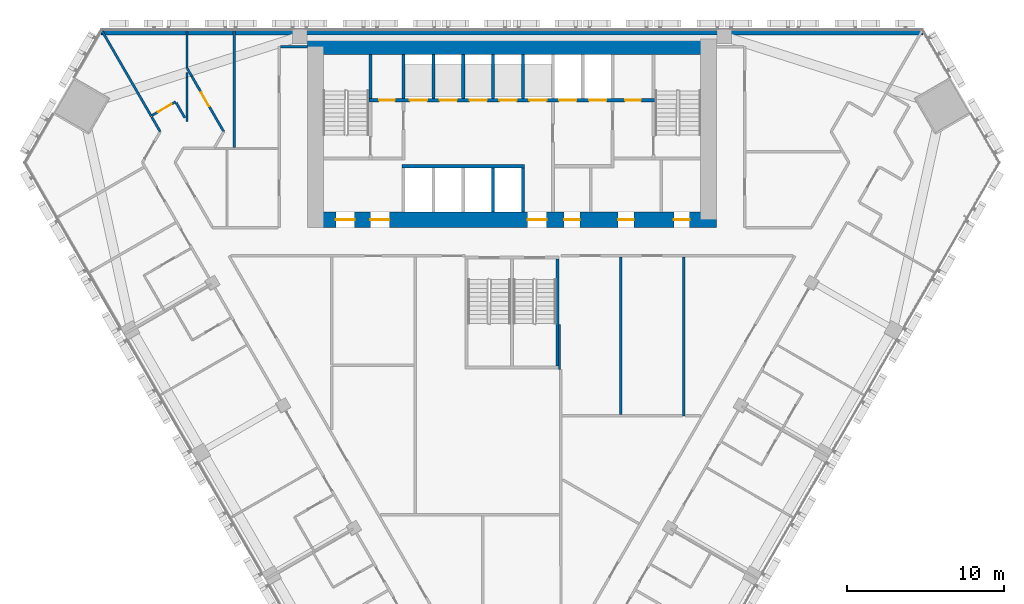
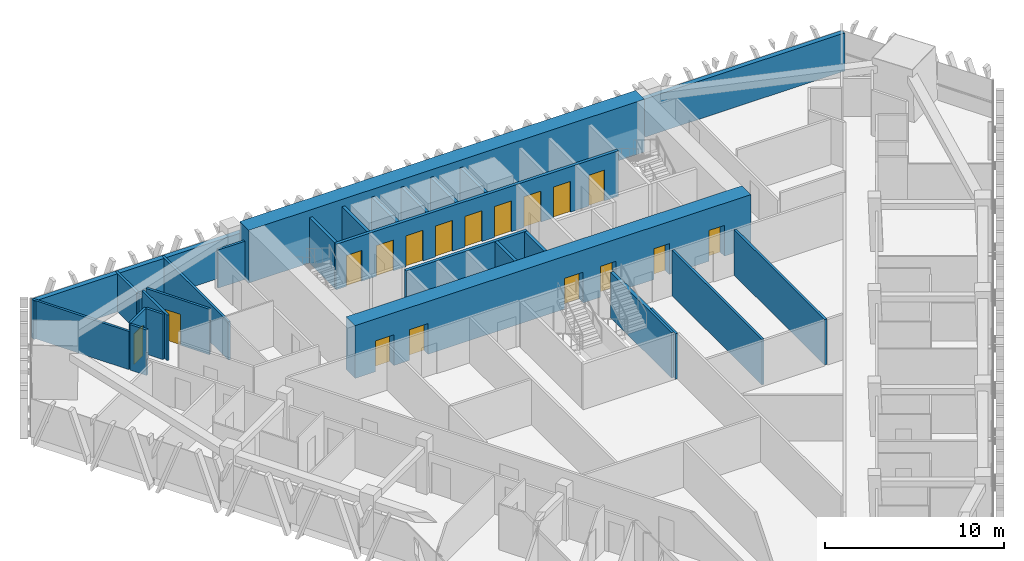
# One storey, part 13 of 18: 28 walls, 17 doors, 17 openings.
"""IFC4 building model written with IfcOpenShell, lengths in metres."""

from ifc_helpers import new_model, si_unit, direction, frame, frame_2d, origin, place, context, subcontext, project, spatial, rectangle, extrude, material, layer, layer_set, type_object, element, fill, save


model = new_model("IFC4")

# Units and contexts
model_context = context("Model", 3, precision=1e-05, world=origin(), true_north=direction((0.0, 1.0)))
body_context = subcontext(model_context, "Body", "Model", "MODEL_VIEW")
ifc_project = project(units=[si_unit("LENGTHUNIT", "METRE"), si_unit("AREAUNIT", "SQUARE_METRE"), si_unit("VOLUMEUNIT", "CUBIC_METRE"), si_unit("PLANEANGLEUNIT", "RADIAN"), si_unit("MASSUNIT", "GRAM", prefix="KILO")], contexts=[model_context])

# Site, building, storey
site_placement = place(None, origin())
site = spatial("IfcSite", under=ifc_project, at=site_placement, CompositionType="ELEMENT")
building_placement = place(site_placement, origin())
building = spatial("IfcBuilding", under=site, at=building_placement, Name="Altiplano Prism Tower", CompositionType="ELEMENT")
storey_placement = place(building_placement, frame((0.0, 0.0, 37.800048828125)))
storey = spatial("IfcBuildingStorey", under=building, at=storey_placement, Name="L08", CompositionType="ELEMENT", Elevation=37.800048828125)

# Wall, openings, doors
ifc_material_1 = material(Name="Concrete C70/85", Category="concrete")
ifc_layer_1 = layer(ifc_material_1, 1.0)
ifc_layer_set_1 = layer_set([ifc_layer_1], Name="Concrete C70/85")
wall_type_1 = type_object("IfcWallType", Name="Core wall 1000", PredefinedType="SHEAR", material=ifc_layer_set_1)
wall_1_placement = place(storey_placement, frame((72.5, 92.89990234375, 0.0), z_axis=(0.0, 0.0, 1.0), x_axis=(1.0, 0.0, 0.0)))
wall_1 = element("IfcWall", 1, at=wall_1_placement, inside=storey, type_object=wall_type_1, Name="Core wall S L08", PredefinedType="SHEAR", context=body_context, shape_type="SweptSolid", body=[
    extrude(rectangle(XDim=25.5, YDim=1.0, at=frame_2d((12.75, 0.0))), origin(), (0.0, 0.0, 1.0), 3.599853515625),
])
opening_1_placement = place(wall_1_placement, frame((1.300048828125, 0.0, 0.0)))
opening_1 = element("IfcOpeningElement", 2, at=opening_1_placement, cuts=wall_1, Name="Opening D2699", PredefinedType="OPENING", context=body_context, shape_type="SweptSolid", body=[
    extrude(rectangle(XDim=1.199951171875, YDim=2.10009765625, at=frame_2d((0.60009765625, 1.050048828125))), frame((0.0, 0.510498046875, 0.0), z_axis=(0.0, -1.0, 0.0), x_axis=(1.0, 0.0, 0.0)), (0.0, 0.0, 1.0), 1.02099609375),
])
opening_2_placement = place(wall_1_placement, frame((3.5, 0.0, 0.0)))
opening_2 = element("IfcOpeningElement", 3, at=opening_2_placement, cuts=wall_1, Name="Opening D2700", PredefinedType="OPENING", context=body_context, shape_type="SweptSolid", body=[
    extrude(rectangle(XDim=1.199951171875, YDim=2.10009765625, at=frame_2d((0.60009765625, 1.050048828125))), frame((0.0, 0.510498046875, 0.0), z_axis=(0.0, -1.0, 0.0), x_axis=(1.0, 0.0, 0.0)), (0.0, 0.0, 1.0), 1.02099609375),
])
opening_3_placement = place(wall_1_placement, frame((13.5, 0.0, 0.0)))
opening_3 = element("IfcOpeningElement", 4, at=opening_3_placement, cuts=wall_1, Name="Opening D2701", PredefinedType="OPENING", context=body_context, shape_type="SweptSolid", body=[
    extrude(rectangle(XDim=1.199951171875, YDim=2.10009765625, at=frame_2d((0.60009765625, 1.050048828125))), frame((0.0, 0.510498046875, 0.0), z_axis=(0.0, -1.0, 0.0), x_axis=(1.0, 0.0, 0.0)), (0.0, 0.0, 1.0), 1.02099609375),
])
opening_4_placement = place(wall_1_placement, frame((15.8125, 0.0, 0.0)))
opening_4 = element("IfcOpeningElement", 5, at=opening_4_placement, cuts=wall_1, Name="Opening D2704", PredefinedType="OPENING", context=body_context, shape_type="SweptSolid", body=[
    extrude(rectangle(XDim=1.0, YDim=2.10009765625, at=frame_2d((0.5, 1.050048828125))), frame((0.0, 0.510498046875, 0.0), z_axis=(0.0, -1.0, 0.0), x_axis=(1.0, 0.0, 0.0)), (0.0, 0.0, 1.0), 1.02099609375),
])
opening_5_placement = place(wall_1_placement, frame((19.25, 0.0, 0.0)))
opening_5 = element("IfcOpeningElement", 6, at=opening_5_placement, cuts=wall_1, Name="Opening D2705", PredefinedType="OPENING", context=body_context, shape_type="SweptSolid", body=[
    extrude(rectangle(XDim=1.0, YDim=2.10009765625, at=frame_2d((0.5, 1.050048828125))), frame((0.0, 0.510498046875, 0.0), z_axis=(0.0, -1.0, 0.0), x_axis=(1.0, 0.0, 0.0)), (0.0, 0.0, 1.0), 1.02099609375),
])
opening_6_placement = place(wall_1_placement, frame((22.78759765625, 0.0, 0.0)))
opening_6 = element("IfcOpeningElement", 7, at=opening_6_placement, cuts=wall_1, Name="Opening D2706", PredefinedType="OPENING", context=body_context, shape_type="SweptSolid", body=[
    extrude(rectangle(XDim=1.0, YDim=2.10009765625, at=frame_2d((0.5, 1.050048828125))), frame((0.0, 0.510498046875, 0.0), z_axis=(0.0, -1.0, 0.0), x_axis=(1.0, 0.0, 0.0)), (0.0, 0.0, 1.0), 1.02099609375),
])
ifc_material_2 = material(Name="Fire-rated steel door", Category="steel")
door_type_1 = type_object("IfcDoorType", Name="Core room door 1000 x 2100", OperationType="NOTDEFINED", PredefinedType="NOTDEFINED", material=ifc_material_2)
door_1_placement = place(opening_4_placement, origin())
door_1 = element("IfcDoor", 8, at=door_1_placement, inside=storey, type_object=door_type_1, Name="Core room door D2704", OperationType="SINGLE_SWING_RIGHT", OverallHeight=2.10009765625, OverallWidth=1.0, PredefinedType="NOTDEFINED", context=body_context, shape_type="SweptSolid", body=[
    extrude(rectangle(XDim=1.0, YDim=2.10009765625, at=frame_2d((0.5, 1.050048828125))), frame((0.0, 0.02490234375, 0.0), z_axis=(0.0, -1.0, 0.0), x_axis=(1.0, 0.0, 0.0)), (0.0, 0.0, 1.0), 0.050048828125),
])
fill(opening_4, door_1)
door_2_placement = place(opening_5_placement, origin())
door_2 = element("IfcDoor", 9, at=door_2_placement, inside=storey, type_object=door_type_1, Name="Core room door D2705", OperationType="SINGLE_SWING_LEFT", OverallHeight=2.10009765625, OverallWidth=1.0, PredefinedType="NOTDEFINED", context=body_context, shape_type="SweptSolid", body=[
    extrude(rectangle(XDim=1.0, YDim=2.10009765625, at=frame_2d((0.5, 1.050048828125))), frame((0.0, 0.02490234375, 0.0), z_axis=(0.0, -1.0, 0.0), x_axis=(1.0, 0.0, 0.0)), (0.0, 0.0, 1.0), 0.050048828125),
])
fill(opening_5, door_2)
door_3_placement = place(opening_6_placement, origin())
door_3 = element("IfcDoor", 10, at=door_3_placement, inside=storey, type_object=door_type_1, Name="Core room door D2706", OperationType="SINGLE_SWING_RIGHT", OverallHeight=2.10009765625, OverallWidth=1.0, PredefinedType="NOTDEFINED", context=body_context, shape_type="SweptSolid", body=[
    extrude(rectangle(XDim=1.0, YDim=2.10009765625, at=frame_2d((0.5, 1.050048828125))), frame((0.0, 0.02490234375, 0.0), z_axis=(0.0, -1.0, 0.0), x_axis=(1.0, 0.0, 0.0)), (0.0, 0.0, 1.0), 0.050048828125),
])
fill(opening_6, door_3)
door_type_2 = type_object("IfcDoorType", Name="Lobby fire door 1200 x 2100", OperationType="NOTDEFINED", PredefinedType="NOTDEFINED", material=ifc_material_2)
door_4_placement = place(opening_1_placement, origin())
door_4 = element("IfcDoor", 11, at=door_4_placement, inside=storey, type_object=door_type_2, Name="Lobby fire door D2699", OperationType="SINGLE_SWING_RIGHT", OverallHeight=2.10009765625, OverallWidth=1.199951171875, PredefinedType="NOTDEFINED", context=body_context, shape_type="SweptSolid", body=[
    extrude(rectangle(XDim=1.199951171875, YDim=2.10009765625, at=frame_2d((0.60009765625, 1.050048828125))), frame((0.0, 0.02490234375, 0.0), z_axis=(0.0, -1.0, 0.0), x_axis=(1.0, 0.0, 0.0)), (0.0, 0.0, 1.0), 0.050048828125),
])
fill(opening_1, door_4)
door_5_placement = place(opening_2_placement, origin())
door_5 = element("IfcDoor", 12, at=door_5_placement, inside=storey, type_object=door_type_2, Name="Lobby fire door D2700", OperationType="SINGLE_SWING_LEFT", OverallHeight=2.10009765625, OverallWidth=1.199951171875, PredefinedType="NOTDEFINED", context=body_context, shape_type="SweptSolid", body=[
    extrude(rectangle(XDim=1.199951171875, YDim=2.10009765625, at=frame_2d((0.60009765625, 1.050048828125))), frame((0.0, 0.02490234375, 0.0), z_axis=(0.0, -1.0, 0.0), x_axis=(1.0, 0.0, 0.0)), (0.0, 0.0, 1.0), 0.050048828125),
])
fill(opening_2, door_5)
door_6_placement = place(opening_3_placement, origin())
door_6 = element("IfcDoor", 13, at=door_6_placement, inside=storey, type_object=door_type_2, Name="Lobby fire door D2701", OperationType="SINGLE_SWING_RIGHT", OverallHeight=2.10009765625, OverallWidth=1.199951171875, PredefinedType="NOTDEFINED", context=body_context, shape_type="SweptSolid", body=[
    extrude(rectangle(XDim=1.199951171875, YDim=2.10009765625, at=frame_2d((0.60009765625, 1.050048828125))), frame((0.0, 0.02490234375, 0.0), z_axis=(0.0, -1.0, 0.0), x_axis=(1.0, 0.0, 0.0)), (0.0, 0.0, 1.0), 0.050048828125),
])
fill(opening_3, door_6)

# Walls
wall_2_placement = place(storey_placement, frame((97.5, 103.89990234375, 0.0), z_axis=(0.0, 0.0, 1.0), x_axis=(-1.0, 0.0, 0.0)))
element("IfcWall", 14, at=wall_2_placement, inside=storey, type_object=wall_type_1, Name="Core wall N L08", PredefinedType="SHEAR", context=body_context, shape_type="SweptSolid", body=[
    extrude(rectangle(XDim=25.5, YDim=1.0, at=frame_2d((12.75, 0.0))), origin(), (0.0, 0.0, 1.0), 3.599853515625),
])
ifc_material_3 = material(Name="Plasterboard on steel stud", Category="steel")
ifc_layer_2 = layer(ifc_material_3, 0.14990234375)
ifc_layer_set_2 = layer_set([ifc_layer_2], Name="Plasterboard on steel stud")
wall_type_2 = type_object("IfcWallType", Name="Partition 150 corridor", PredefinedType="PARTITIONING", material=ifc_layer_set_2)
wall_3_placement = place(storey_placement, frame((64.337646484375, 102.26025390625, 0.0), z_axis=(0.0, 0.0, 1.0), x_axis=(0.0, -1.0, 0.0)))
element("IfcWall", 15, at=wall_3_placement, inside=storey, type_object=wall_type_2, Name="Partition P06 L08 005", PredefinedType="PARTITIONING", context=body_context, shape_type="SweptSolid", body=[
    extrude(rectangle(XDim=0.32177734375, YDim=0.14990234375, at=frame_2d((0.160888671875, 0.0))), origin(), (0.0, 0.0, 1.0), 2.599853515625),
])
wall_4_placement = place(storey_placement, frame((64.337646484375, 101.9384765625, 0.0), z_axis=(0.0, 0.0, 1.0), x_axis=(0.0, -1.0, 0.0)))
element("IfcWall", 16, at=wall_4_placement, inside=storey, type_object=wall_type_2, Name="Partition P06 L08 006", PredefinedType="PARTITIONING", context=body_context, shape_type="SweptSolid", body=[
    extrude(rectangle(XDim=2.79833984375, YDim=0.14990234375, at=frame_2d((1.399169921875, 0.0))), origin(), (0.0, 0.0, 1.0), 3.099853515625),
])
wall_5_placement = place(storey_placement, frame((64.19775390625, 99.382568359375, 0.0), z_axis=(0.0, 0.0, 1.0), x_axis=(-0.500125958508, 0.865952669392, 0.0)))
element("IfcWall", 17, at=wall_5_placement, inside=storey, type_object=wall_type_2, Name="Partition P06 L08 007", PredefinedType="PARTITIONING", context=body_context, shape_type="SweptSolid", body=[
    extrude(rectangle(XDim=1.099853515625, YDim=0.14990234375, at=frame_2d((0.5498046875, 0.0))), origin(), (0.0, 0.0, 1.0), 3.099853515625),
])

# Wall, opening, door
wall_6_placement = place(storey_placement, frame((63.6103515625, 100.39990234375, 0.0), z_axis=(0.0, 0.0, 1.0), x_axis=(-0.866074815912, -0.499914405916, 0.0)))
wall_6 = element("IfcWall", 18, at=wall_6_placement, inside=storey, type_object=wall_type_2, Name="Partition P06 L08 008", PredefinedType="PARTITIONING", context=body_context, shape_type="SweptSolid", body=[
    extrude(rectangle(XDim=1.724853515625, YDim=0.14990234375, at=frame_2d((0.8623046875, 0.0))), origin(), (0.0, 0.0, 1.0), 3.099853515625),
])
opening_7_placement = place(wall_6_placement, frame((0.302001953125, 0.0, 0.0)))
opening_7 = element("IfcOpeningElement", 19, at=opening_7_placement, cuts=wall_6, Name="Opening D0275", PredefinedType="OPENING", context=body_context, shape_type="SweptSolid", body=[
    extrude(rectangle(XDim=1.0, YDim=2.10009765625, at=frame_2d((0.5, 1.050048828125))), frame((0.0, 0.08544921875, 0.0), z_axis=(0.0, -1.0, 0.0), x_axis=(1.0, 0.0, 0.0)), (0.0, 0.0, 1.0), 0.1708984375),
])
ifc_material_4 = material(Name="Timber", Category="wood")
door_type_3 = type_object("IfcDoorType", Name="Store door 1000 x 2100", OperationType="NOTDEFINED", PredefinedType="NOTDEFINED", material=ifc_material_4)
door_7_placement = place(opening_7_placement, origin())
door_7 = element("IfcDoor", 20, at=door_7_placement, inside=storey, type_object=door_type_3, Name="Door D0275", OperationType="SINGLE_SWING_RIGHT", OverallHeight=2.10009765625, OverallWidth=1.0, PredefinedType="NOTDEFINED", context=body_context, shape_type="SweptSolid", body=[
    extrude(rectangle(XDim=1.0, YDim=2.10009765625, at=frame_2d((0.5, 1.050048828125))), frame((0.0, 0.02490234375, 0.0), z_axis=(0.0, -1.0, 0.0), x_axis=(1.0, 0.0, 0.0)), (0.0, 0.0, 1.0), 0.050048828125),
])
fill(opening_7, door_7)

wall_7_placement = place(storey_placement, frame((66.670166015625, 98.5, 0.0), z_axis=(0.0, 0.0, 1.0), x_axis=(-0.500002290144, 0.866024081565, 0.0)))
wall_7 = element("IfcWall", 21, at=wall_7_placement, inside=storey, type_object=wall_type_2, Name="Partition P06 L08 010", PredefinedType="PARTITIONING", context=body_context, shape_type="SweptSolid", body=[
    extrude(rectangle(XDim=4.078125, YDim=0.14990234375, at=frame_2d((2.0390625, 0.0))), origin(), (0.0, 0.0, 1.0), 3.099853515625),
])
opening_8_placement = place(wall_7_placement, frame((1.864013671875, 0.0, 0.0)))
opening_8 = element("IfcOpeningElement", 22, at=opening_8_placement, cuts=wall_7, Name="Opening D0276", PredefinedType="OPENING", context=body_context, shape_type="SweptSolid", body=[
    extrude(rectangle(XDim=1.0, YDim=2.10009765625, at=frame_2d((0.5, 1.050048828125))), frame((0.0, 0.08544921875, 0.0), z_axis=(0.0, -1.0, 0.0), x_axis=(1.0, 0.0, 0.0)), (0.0, 0.0, 1.0), 0.1708984375),
])
door_8_placement = place(opening_8_placement, origin())
door_8 = element("IfcDoor", 23, at=door_8_placement, inside=storey, type_object=door_type_3, Name="Door D0276", OperationType="SINGLE_SWING_LEFT", OverallHeight=2.10009765625, OverallWidth=1.0, PredefinedType="NOTDEFINED", context=body_context, shape_type="SweptSolid", body=[
    extrude(rectangle(XDim=1.0, YDim=2.10009765625, at=frame_2d((0.5, 1.050048828125))), frame((0.0, 0.02490234375, 0.0), z_axis=(0.0, -1.0, 0.0), x_axis=(1.0, 0.0, 0.0)), (0.0, 0.0, 1.0), 0.050048828125),
])
fill(opening_8, door_8)

# Walls
wall_8_placement = place(storey_placement, frame((64.631103515625, 102.03173828125, 0.0), z_axis=(0.0, 0.0, 1.0), x_axis=(-0.499986503906, 0.866033195618, 0.0)))
element("IfcWall", 24, at=wall_8_placement, inside=storey, type_object=wall_type_2, Name="Partition P06 L08 011", PredefinedType="PARTITIONING", context=body_context, shape_type="SweptSolid", body=[
    extrude(rectangle(XDim=0.5869140625, YDim=0.14990234375, at=frame_2d((0.29345703125, 0.0))), origin(), (0.0, 0.0, 1.0), 2.599853515625),
])
wall_9_placement = place(storey_placement, frame((62.0888671875, 99.43505859375, 0.0), z_axis=(0.0, 0.0, 1.0), x_axis=(0.499957341738, -0.866050031143, 0.0)))
element("IfcWall", 25, at=wall_9_placement, inside=storey, type_object=wall_type_2, Name="Partition P06 L08 012", PredefinedType="PARTITIONING", context=body_context, shape_type="SweptSolid", body=[
    extrude(rectangle(XDim=1.07958984375, YDim=0.14990234375, at=frame_2d((0.539794921875, 0.0))), origin(), (0.0, 0.0, 1.0), 3.099853515625),
])
wall_10_placement = place(storey_placement, frame((72.0, 103.89990234375, 0.0), z_axis=(0.0, 0.0, 1.0), x_axis=(-1.0, 0.0, 0.0)))
element("IfcWall", 26, at=wall_10_placement, inside=storey, type_object=wall_type_2, Name="Partition P06 L08 043", PredefinedType="PARTITIONING", context=body_context, shape_type="SweptSolid", body=[
    extrude(rectangle(XDim=1.72509765625, YDim=0.14990234375, at=frame_2d((0.862548828125, 0.0))), origin(), (0.0, 0.0, 1.0), 2.599853515625),
])
ifc_layer_3 = layer(ifc_material_3, 0.14990234375)
ifc_layer_set_3 = layer_set([ifc_layer_3], Name="Plasterboard on steel stud")
wall_type_3 = type_object("IfcWallType", Name="Partition 150 party", PredefinedType="PARTITIONING", material=ifc_layer_set_3)
wall_11_placement = place(storey_placement, frame((64.337646484375, 102.5400390625, 0.0), z_axis=(0.0, 0.0, 1.0), x_axis=(0.0, 1.0, 0.0)))
element("IfcWall", 27, at=wall_11_placement, inside=storey, type_object=wall_type_3, Name="Partition P01 L08 047", PredefinedType="PARTITIONING", context=body_context, shape_type="SweptSolid", body=[
    extrude(rectangle(XDim=2.360107421875, YDim=0.14990234375, at=frame_2d((1.18017578125, 0.0))), origin(), (0.0, 0.0, 1.0), 2.599853515625),
])
wall_12_placement = place(storey_placement, frame((58.93359375, 104.89990234375, 0.0), z_axis=(0.0, 0.0, 1.0), x_axis=(0.500005118993, -0.866022448312, 0.0)))
element("IfcWall", 28, at=wall_12_placement, inside=storey, type_object=wall_type_3, Name="Partition P01 L08 048", PredefinedType="PARTITIONING", context=body_context, shape_type="SweptSolid", body=[
    extrude(rectangle(XDim=6.25537109375, YDim=0.14990234375, at=frame_2d((3.127685546875, 0.0))), origin(), (0.0, 0.0, 1.0), 2.599853515625),
])
wall_13_placement = place(storey_placement, frame((67.33837890625, 97.488525390625, 0.0), z_axis=(0.0, 0.0, 1.0), x_axis=(0.0, 1.0, 0.0)))
element("IfcWall", 29, at=wall_13_placement, inside=storey, type_object=wall_type_3, Name="Partition P01 L08 049", PredefinedType="PARTITIONING", context=body_context, shape_type="SweptSolid", body=[
    extrude(rectangle(XDim=7.411376953125, YDim=0.14990234375, at=frame_2d((3.70556640625, 0.0))), origin(), (0.0, 0.0, 1.0), 2.599853515625),
])
wall_14_placement = place(storey_placement, frame((88.017333984375, 83.389404296875, 0.0), z_axis=(0.0, 0.0, 1.0), x_axis=(0.000597983833, 0.999999821208, 0.0)))
element("IfcWall", 30, at=wall_14_placement, inside=storey, type_object=wall_type_3, Name="Partition P01 L08 104", PredefinedType="PARTITIONING", context=body_context, shape_type="SweptSolid", body=[
    extrude(rectangle(XDim=2.85791015625, YDim=0.14990234375, at=frame_2d((1.428955078125, 0.0))), origin(), (0.0, 0.0, 1.0), 3.099853515625),
])
wall_15_placement = place(storey_placement, frame((95.9140625, 90.52490234375, 0.0), z_axis=(0.0, 0.0, 1.0), x_axis=(0.0, -1.0, 0.0)))
element("IfcWall", 31, at=wall_15_placement, inside=storey, type_object=wall_type_3, Name="Partition P01 L08 111", PredefinedType="PARTITIONING", context=body_context, shape_type="SweptSolid", body=[
    extrude(rectangle(XDim=10.09375, YDim=0.14990234375, at=frame_2d((5.046875, 0.0))), origin(), (0.0, 0.0, 1.0), 3.099853515625),
])
wall_16_placement = place(storey_placement, frame((91.916748046875, 90.52490234375, 0.0), z_axis=(0.0, 0.0, 1.0), x_axis=(0.0, -1.0, 0.0)))
element("IfcWall", 32, at=wall_16_placement, inside=storey, type_object=wall_type_3, Name="Partition P01 L08 114", PredefinedType="PARTITIONING", context=body_context, shape_type="SweptSolid", body=[
    extrude(rectangle(XDim=10.018798828125, YDim=0.14990234375, at=frame_2d((5.00927734375, 0.0))), origin(), (0.0, 0.0, 1.0), 3.099853515625),
])
ifc_material_5 = material(Name="Concrete C60/75", Category="concrete")
ifc_layer_4 = layer(ifc_material_5, 0.199951171875)
ifc_layer_set_4 = layer_set([ifc_layer_4], Name="Concrete C60/75")
wall_type_4 = type_object("IfcWallType", Name="Shaft wall 200", PredefinedType="SOLIDWALL", material=ifc_layer_set_4)
for number, where, z_axis, x_axis, name in (
    (33, (83.800048828125, 93.39990234375, 0.0), (0.0, 0.0, 1.0), (0.0, 1.0, 0.0), "Shaft wall L08"),
    (34, (85.699951171875, 93.39990234375, 0.0), (0.0, 0.0, 1.0), (0.0, 1.0, 0.0), "Shaft wall L08"),
):
    element("IfcWall", number, at=place(storey_placement, frame(where, z_axis=z_axis, x_axis=x_axis)), inside=storey, type_object=wall_type_4, Name=name, PredefinedType="SOLIDWALL", context=body_context, shape_type="SweptSolid", body=[
        extrude(rectangle(XDim=2.800048828125, YDim=0.199951171875, at=frame_2d((1.39990234375, 0.0))), origin(), (0.0, 0.0, 1.0), 3.099853515625),
    ])
wall_17_placement = place(storey_placement, frame((78.0, 96.300048828125, 0.0), z_axis=(0.0, 0.0, 1.0), x_axis=(1.0, 0.0, 0.0)))
element("IfcWall", 35, at=wall_17_placement, inside=storey, type_object=wall_type_4, Name="Shaft wall L08", PredefinedType="SOLIDWALL", context=body_context, shape_type="SweptSolid", body=[
    extrude(rectangle(XDim=7.800048828125, YDim=0.199951171875, at=frame_2d((3.89990234375, 0.0))), origin(), (0.0, 0.0, 1.0), 3.099853515625),
])
for number, where, z_axis, x_axis, name in (
    (36, (78.10009765625, 100.60009765625, 0.0), (0.0, 0.0, 1.0), (0.0, 1.0, 0.0), "Shaft wall L08"),
    (37, (80.0, 100.60009765625, 0.0), (0.0, 0.0, 1.0), (0.0, 1.0, 0.0), "Shaft wall L08"),
    (38, (81.89990234375, 100.60009765625, 0.0), (0.0, 0.0, 1.0), (0.0, 1.0, 0.0), "Shaft wall L08"),
    (39, (83.800048828125, 100.60009765625, 0.0), (0.0, 0.0, 1.0), (0.0, 1.0, 0.0), "Shaft wall L08"),
    (40, (85.699951171875, 100.60009765625, 0.0), (0.0, 0.0, 1.0), (0.0, 1.0, 0.0), "Shaft wall L08"),
):
    element("IfcWall", number, at=place(storey_placement, frame(where, z_axis=z_axis, x_axis=x_axis)), inside=storey, type_object=wall_type_4, Name=name, PredefinedType="SOLIDWALL", context=body_context, shape_type="SweptSolid", body=[
        extrude(rectangle(XDim=2.7998046875, YDim=0.199951171875, at=frame_2d((1.39990234375, 0.0))), origin(), (0.0, 0.0, 1.0), 3.099853515625),
    ])

# Wall, openings, doors
ifc_layer_5 = layer(ifc_material_5, 0.199951171875)
ifc_layer_set_5 = layer_set([ifc_layer_5], Name="Concrete C60/75")
wall_type_5 = type_object("IfcWallType", Name="Stair wall 200", PredefinedType="SOLIDWALL", material=ifc_layer_set_5)
wall_18_placement = place(storey_placement, frame((75.89990234375, 100.5, 0.0), z_axis=(0.0, 0.0, 1.0), x_axis=(1.0, 0.0, 0.0)))
wall_18 = element("IfcWall", 41, at=wall_18_placement, inside=storey, type_object=wall_type_5, Name="Stair wall L08", PredefinedType="SOLIDWALL", context=body_context, shape_type="SweptSolid", body=[
    extrude(rectangle(XDim=18.2001953125, YDim=0.199951171875, at=frame_2d((9.10009765625, 0.0))), origin(), (0.0, 0.0, 1.0), 3.099853515625),
])
opening_9_placement = place(wall_18_placement, frame((2.60009765625, 0.0, 0.0)))
opening_9 = element("IfcOpeningElement", 42, at=opening_9_placement, cuts=wall_18, Name="Opening LD-LL1-L08", PredefinedType="OPENING", context=body_context, shape_type="SweptSolid", body=[
    extrude(rectangle(XDim=1.10009765625, YDim=2.10009765625, at=frame_2d((0.550048828125, 1.050048828125))), frame((0.0, 0.1103515625, 0.0), z_axis=(0.0, -1.0, 0.0), x_axis=(1.0, 0.0, 0.0)), (0.0, 0.0, 1.0), 0.220947265625),
])
opening_10_placement = place(wall_18_placement, frame((4.5, 0.0, 0.0)))
opening_10 = element("IfcOpeningElement", 43, at=opening_10_placement, cuts=wall_18, Name="Opening LD-LL2-L08", PredefinedType="OPENING", context=body_context, shape_type="SweptSolid", body=[
    extrude(rectangle(XDim=1.10009765625, YDim=2.10009765625, at=frame_2d((0.550048828125, 1.050048828125))), frame((0.0, 0.1103515625, 0.0), z_axis=(0.0, -1.0, 0.0), x_axis=(1.0, 0.0, 0.0)), (0.0, 0.0, 1.0), 0.220947265625),
])
opening_11_placement = place(wall_18_placement, frame((6.39990234375, 0.0, 0.0)))
opening_11 = element("IfcOpeningElement", 44, at=opening_11_placement, cuts=wall_18, Name="Opening LD-LL3-L08", PredefinedType="OPENING", context=body_context, shape_type="SweptSolid", body=[
    extrude(rectangle(XDim=1.10009765625, YDim=2.10009765625, at=frame_2d((0.550048828125, 1.050048828125))), frame((0.0, 0.1103515625, 0.0), z_axis=(0.0, -1.0, 0.0), x_axis=(1.0, 0.0, 0.0)), (0.0, 0.0, 1.0), 0.220947265625),
])
opening_12_placement = place(wall_18_placement, frame((8.300048828125, 0.0, 0.0)))
opening_12 = element("IfcOpeningElement", 45, at=opening_12_placement, cuts=wall_18, Name="Opening LD-LL4-L08", PredefinedType="OPENING", context=body_context, shape_type="SweptSolid", body=[
    extrude(rectangle(XDim=1.10009765625, YDim=2.10009765625, at=frame_2d((0.550048828125, 1.050048828125))), frame((0.0, 0.1103515625, 0.0), z_axis=(0.0, -1.0, 0.0), x_axis=(1.0, 0.0, 0.0)), (0.0, 0.0, 1.0), 0.220947265625),
])
opening_13_placement = place(wall_18_placement, frame((10.199951171875, 0.0, 0.0)))
opening_13 = element("IfcOpeningElement", 46, at=opening_13_placement, cuts=wall_18, Name="Opening LD-LL5-L08", PredefinedType="OPENING", context=body_context, shape_type="SweptSolid", body=[
    extrude(rectangle(XDim=1.10009765625, YDim=2.10009765625, at=frame_2d((0.550048828125, 1.050048828125))), frame((0.0, 0.1103515625, 0.0), z_axis=(0.0, -1.0, 0.0), x_axis=(1.0, 0.0, 0.0)), (0.0, 0.0, 1.0), 0.220947265625),
])
opening_14_placement = place(wall_18_placement, frame((12.10009765625, 0.0, 0.0)))
opening_14 = element("IfcOpeningElement", 47, at=opening_14_placement, cuts=wall_18, Name="Opening LD-FF1-L08", PredefinedType="OPENING", context=body_context, shape_type="SweptSolid", body=[
    extrude(rectangle(XDim=1.10009765625, YDim=2.10009765625, at=frame_2d((0.550048828125, 1.050048828125))), frame((0.0, 0.1103515625, 0.0), z_axis=(0.0, -1.0, 0.0), x_axis=(1.0, 0.0, 0.0)), (0.0, 0.0, 1.0), 0.220947265625),
])
opening_15_placement = place(wall_18_placement, frame((14.0, 0.0, 0.0)))
opening_15 = element("IfcOpeningElement", 48, at=opening_15_placement, cuts=wall_18, Name="Opening LD-FF2-L08", PredefinedType="OPENING", context=body_context, shape_type="SweptSolid", body=[
    extrude(rectangle(XDim=1.10009765625, YDim=2.10009765625, at=frame_2d((0.550048828125, 1.050048828125))), frame((0.0, 0.1103515625, 0.0), z_axis=(0.0, -1.0, 0.0), x_axis=(1.0, 0.0, 0.0)), (0.0, 0.0, 1.0), 0.220947265625),
])
opening_16_placement = place(wall_18_placement, frame((0.64990234375, 0.0, 0.0)))
opening_16 = element("IfcOpeningElement", 49, at=opening_16_placement, cuts=wall_18, Name="Opening D2702", PredefinedType="OPENING", context=body_context, shape_type="SweptSolid", body=[
    extrude(rectangle(XDim=1.0, YDim=2.10009765625, at=frame_2d((0.5, 1.050048828125))), frame((0.0, 0.1103515625, 0.0), z_axis=(0.0, -1.0, 0.0), x_axis=(1.0, 0.0, 0.0)), (0.0, 0.0, 1.0), 0.220947265625),
])
opening_17_placement = place(wall_18_placement, frame((16.300048828125, 0.0, 0.0)))
opening_17 = element("IfcOpeningElement", 50, at=opening_17_placement, cuts=wall_18, Name="Opening D2703", PredefinedType="OPENING", context=body_context, shape_type="SweptSolid", body=[
    extrude(rectangle(XDim=1.0, YDim=2.10009765625, at=frame_2d((0.5, 1.050048828125))), frame((0.0, 0.1103515625, 0.0), z_axis=(0.0, -1.0, 0.0), x_axis=(1.0, 0.0, 0.0)), (0.0, 0.0, 1.0), 0.220947265625),
])
door_9_placement = place(opening_16_placement, origin())
door_9 = element("IfcDoor", 51, at=door_9_placement, inside=storey, type_object=door_type_1, Name="Core room door D2702", OperationType="SINGLE_SWING_LEFT", OverallHeight=2.10009765625, OverallWidth=1.0, PredefinedType="NOTDEFINED", context=body_context, shape_type="SweptSolid", body=[
    extrude(rectangle(XDim=1.0, YDim=2.10009765625, at=frame_2d((0.5, 1.050048828125))), frame((0.0, 0.02490234375, 0.0), z_axis=(0.0, -1.0, 0.0), x_axis=(1.0, 0.0, 0.0)), (0.0, 0.0, 1.0), 0.050048828125),
])
fill(opening_16, door_9)
door_10_placement = place(opening_17_placement, origin())
door_10 = element("IfcDoor", 52, at=door_10_placement, inside=storey, type_object=door_type_1, Name="Core room door D2703", OperationType="SINGLE_SWING_RIGHT", OverallHeight=2.10009765625, OverallWidth=1.0, PredefinedType="NOTDEFINED", context=body_context, shape_type="SweptSolid", body=[
    extrude(rectangle(XDim=1.0, YDim=2.10009765625, at=frame_2d((0.5, 1.050048828125))), frame((0.0, 0.02490234375, 0.0), z_axis=(0.0, -1.0, 0.0), x_axis=(1.0, 0.0, 0.0)), (0.0, 0.0, 1.0), 0.050048828125),
])
fill(opening_17, door_10)
ifc_material_6 = material(Name="Stainless steel landing door", Category="steel")
door_type_4 = type_object("IfcDoorType", Name="Landing door 1100 x 2100", OperationType="NOTDEFINED", PredefinedType="NOTDEFINED", material=ifc_material_6)
door_11_placement = place(opening_9_placement, origin())
door_11 = element("IfcDoor", 53, at=door_11_placement, inside=storey, type_object=door_type_4, Name="Landing doors LL1", OperationType="SLIDING_TO_RIGHT", OverallHeight=2.10009765625, OverallWidth=1.10009765625, PredefinedType="NOTDEFINED", context=body_context, shape_type="SweptSolid", body=[
    extrude(rectangle(XDim=1.10009765625, YDim=2.10009765625, at=frame_2d((0.550048828125, 1.050048828125))), frame((0.0, 0.02490234375, 0.0), z_axis=(0.0, -1.0, 0.0), x_axis=(1.0, 0.0, 0.0)), (0.0, 0.0, 1.0), 0.050048828125),
])
fill(opening_9, door_11)
door_12_placement = place(opening_10_placement, origin())
door_12 = element("IfcDoor", 54, at=door_12_placement, inside=storey, type_object=door_type_4, Name="Landing doors LL2", OperationType="SLIDING_TO_LEFT", OverallHeight=2.10009765625, OverallWidth=1.10009765625, PredefinedType="NOTDEFINED", context=body_context, shape_type="SweptSolid", body=[
    extrude(rectangle(XDim=1.10009765625, YDim=2.10009765625, at=frame_2d((0.550048828125, 1.050048828125))), frame((0.0, 0.02490234375, 0.0), z_axis=(0.0, -1.0, 0.0), x_axis=(1.0, 0.0, 0.0)), (0.0, 0.0, 1.0), 0.050048828125),
])
fill(opening_10, door_12)
door_13_placement = place(opening_11_placement, origin())
door_13 = element("IfcDoor", 55, at=door_13_placement, inside=storey, type_object=door_type_4, Name="Landing doors LL3", OperationType="SLIDING_TO_RIGHT", OverallHeight=2.10009765625, OverallWidth=1.10009765625, PredefinedType="NOTDEFINED", context=body_context, shape_type="SweptSolid", body=[
    extrude(rectangle(XDim=1.10009765625, YDim=2.10009765625, at=frame_2d((0.550048828125, 1.050048828125))), frame((0.0, 0.02490234375, 0.0), z_axis=(0.0, -1.0, 0.0), x_axis=(1.0, 0.0, 0.0)), (0.0, 0.0, 1.0), 0.050048828125),
])
fill(opening_11, door_13)
door_14_placement = place(opening_12_placement, origin())
door_14 = element("IfcDoor", 56, at=door_14_placement, inside=storey, type_object=door_type_4, Name="Landing doors LL4", OperationType="SLIDING_TO_LEFT", OverallHeight=2.10009765625, OverallWidth=1.10009765625, PredefinedType="NOTDEFINED", context=body_context, shape_type="SweptSolid", body=[
    extrude(rectangle(XDim=1.10009765625, YDim=2.10009765625, at=frame_2d((0.550048828125, 1.050048828125))), frame((0.0, 0.02490234375, 0.0), z_axis=(0.0, -1.0, 0.0), x_axis=(1.0, 0.0, 0.0)), (0.0, 0.0, 1.0), 0.050048828125),
])
fill(opening_12, door_14)
door_15_placement = place(opening_13_placement, origin())
door_15 = element("IfcDoor", 57, at=door_15_placement, inside=storey, type_object=door_type_4, Name="Landing doors LL5", OperationType="SLIDING_TO_RIGHT", OverallHeight=2.10009765625, OverallWidth=1.10009765625, PredefinedType="NOTDEFINED", context=body_context, shape_type="SweptSolid", body=[
    extrude(rectangle(XDim=1.10009765625, YDim=2.10009765625, at=frame_2d((0.550048828125, 1.050048828125))), frame((0.0, 0.02490234375, 0.0), z_axis=(0.0, -1.0, 0.0), x_axis=(1.0, 0.0, 0.0)), (0.0, 0.0, 1.0), 0.050048828125),
])
fill(opening_13, door_15)
door_16_placement = place(opening_14_placement, origin())
door_16 = element("IfcDoor", 58, at=door_16_placement, inside=storey, type_object=door_type_4, Name="Landing doors FF1", OperationType="SLIDING_TO_RIGHT", OverallHeight=2.10009765625, OverallWidth=1.10009765625, PredefinedType="NOTDEFINED", context=body_context, shape_type="SweptSolid", body=[
    extrude(rectangle(XDim=1.10009765625, YDim=2.10009765625, at=frame_2d((0.550048828125, 1.050048828125))), frame((0.0, 0.02490234375, 0.0), z_axis=(0.0, -1.0, 0.0), x_axis=(1.0, 0.0, 0.0)), (0.0, 0.0, 1.0), 0.050048828125),
])
fill(opening_14, door_16)
door_17_placement = place(opening_15_placement, origin())
door_17 = element("IfcDoor", 59, at=door_17_placement, inside=storey, type_object=door_type_4, Name="Landing doors FF2", OperationType="SLIDING_TO_LEFT", OverallHeight=2.10009765625, OverallWidth=1.10009765625, PredefinedType="NOTDEFINED", context=body_context, shape_type="SweptSolid", body=[
    extrude(rectangle(XDim=1.10009765625, YDim=2.10009765625, at=frame_2d((0.550048828125, 1.050048828125))), frame((0.0, 0.02490234375, 0.0), z_axis=(0.0, -1.0, 0.0), x_axis=(1.0, 0.0, 0.0)), (0.0, 0.0, 1.0), 0.050048828125),
])
fill(opening_15, door_17)

# Walls
wall_19_placement = place(storey_placement, frame((76.0, 100.60009765625, 0.0), z_axis=(0.0, 0.0, 1.0), x_axis=(0.0, 1.0, 0.0)))
element("IfcWall", 60, at=wall_19_placement, inside=storey, type_object=wall_type_5, Name="Stair wall L08", PredefinedType="SOLIDWALL", context=body_context, shape_type="SweptSolid", body=[
    extrude(rectangle(XDim=2.7998046875, YDim=0.199951171875, at=frame_2d((1.39990234375, 0.0))), origin(), (0.0, 0.0, 1.0), 3.099853515625),
])
wall_20_placement = place(storey_placement, frame((87.89990234375, 83.60009765625, 0.0), z_axis=(0.0, 0.0, 1.0), x_axis=(0.0, 1.0, 0.0)))
element("IfcWall", 61, at=wall_20_placement, inside=storey, type_object=wall_type_5, Name="Stair 3 wall east L08", PredefinedType="SOLIDWALL", context=body_context, shape_type="SweptSolid", body=[
    extrude(rectangle(XDim=6.7998046875, YDim=0.199951171875, at=frame_2d((3.39990234375, 0.0))), origin(), (0.0, 0.0, 1.0), 3.099853515625),
])
ifc_material_7 = material(Name="Concrete C40", Category="concrete")
ifc_layer_6 = layer(ifc_material_7, 0.300048828125)
ifc_layer_set_6 = layer_set([ifc_layer_6], Name="Concrete C40")
wall_type_6 = type_object("IfcWallType", Name="Stone-clad external wall 300", PredefinedType="SOLIDWALL", material=ifc_layer_set_6)
wall_21_placement = place(storey_placement, frame((58.8759765625, 104.7900390625, 0.0), z_axis=(0.0, 0.0, 1.0), x_axis=(1.0, 0.0, 0.0)))
element("IfcWall", 62, at=wall_21_placement, inside=storey, type_object=wall_type_6, Name="External wall north face L08", PredefinedType="SOLIDWALL", context=body_context, shape_type="SweptSolid", body=[
    extrude(rectangle(XDim=52.248046875, YDim=0.300048828125, at=frame_2d((26.1240234375, 0.0))), origin(), (0.0, 0.0, 1.0), 2.599853515625),
])

save(model, "model.ifc")
